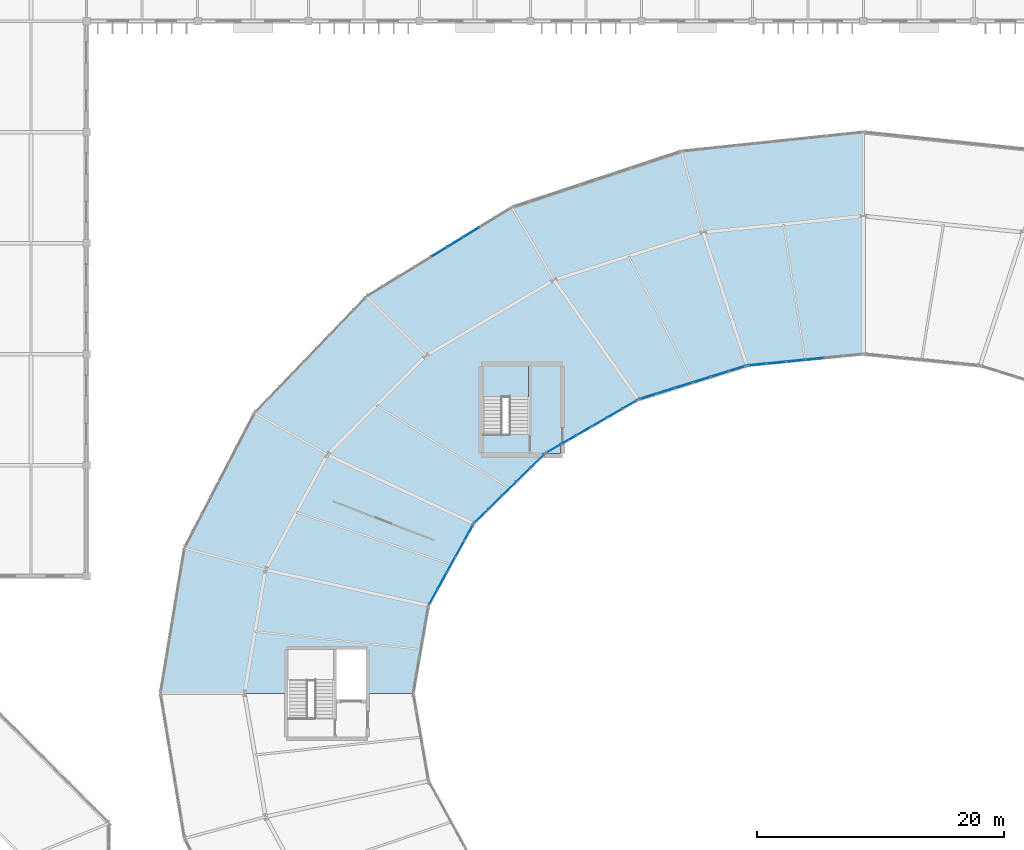
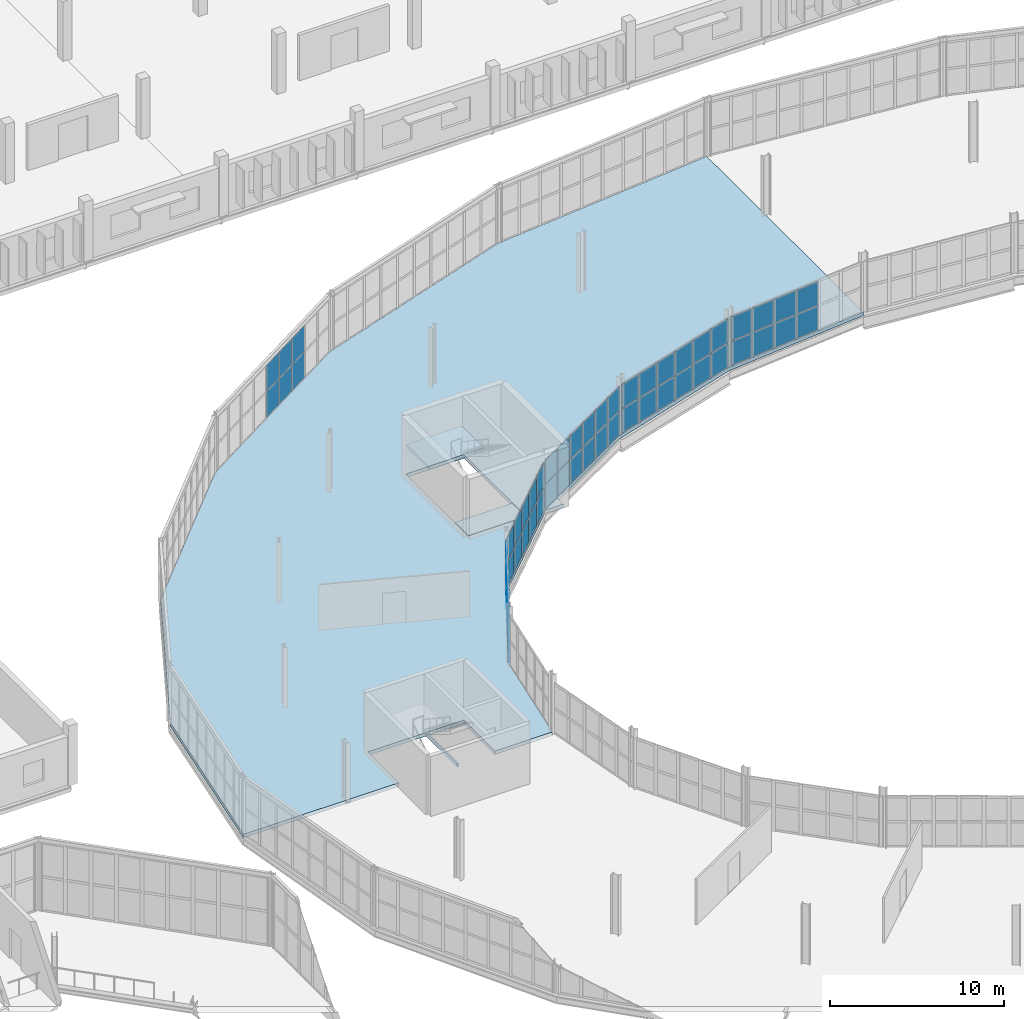
# One storey, part 117 of 161: 58 plates, 4 slabs, 7 elements without a shape of their own.
"""IFC4 building model written with IfcOpenShell, lengths in metres."""

from ifc_helpers import new_model, si_unit, direction, frame, origin, origin_2d, place, context, subcontext, project, spatial, polyline, rectangle, outline, extrude, material, layer, layer_set, type_object, element, aggregate, save


model = new_model("IFC4")

# Units and contexts
model_context = context("Model", 3, precision=1e-05, world=origin(), true_north=direction((0.0, 1.0)))
body_context = subcontext(model_context, "Body", "Model", "MODEL_VIEW")
ifc_project = project(units=[si_unit("LENGTHUNIT", "METRE"), si_unit("AREAUNIT", "SQUARE_METRE"), si_unit("VOLUMEUNIT", "CUBIC_METRE"), si_unit("PLANEANGLEUNIT", "RADIAN"), si_unit("MASSUNIT", "GRAM", prefix="KILO")], contexts=[model_context])

# Site, building, storey
site_placement = place(None, origin())
site = spatial("IfcSite", under=ifc_project, at=site_placement, CompositionType="ELEMENT")
building_placement = place(site_placement, origin())
building = spatial("IfcBuilding", under=site, at=building_placement, Name="Kildeholm Park Wholesale Market", CompositionType="ELEMENT")
storey_placement = place(building_placement, frame((0.0, 0.0, 5.39990234375)))
storey = spatial("IfcBuildingStorey", under=building, at=storey_placement, Name="L01", CompositionType="ELEMENT", Elevation=5.39990234375)

# Curtain wall, plates
ifc_material_1 = material(Name="Anodised aluminium and low-E double-glazed glass", Category="aluminium")
curtain_wall_type = type_object("IfcCurtainWallType", Name="Market hall glazed arcade stick curtain wall CW-01", PredefinedType="NOTDEFINED", material=ifc_material_1)
curtain_wall_1_placement = place(storey_placement, origin())
curtain_wall_1 = element("IfcCurtainWall", 1, at=curtain_wall_1_placement, inside=storey, type_object=curtain_wall_type, Name="Curtain wall CW-V1-IN1-06 CW-0033", PredefinedType="NOTDEFINED")
ifc_material_2 = material(Name="Double-glazed low-E insulated glass", Category="glass")
ifc_layer_1 = layer(ifc_material_2, 0.028076171875)
ifc_layer_set_1 = layer_set([ifc_layer_1], Name="Double-glazed low-E insulated glass")
plate_type = type_object("IfcPlateType", Name="Curtain-wall panel CWP-1 28 mm", PredefinedType="CURTAIN_PANEL", material=ifc_layer_set_1)
plate_1_placement = place(storey_placement, frame((95.056640625, 116.613037109375, 0.074951171875), z_axis=(0.0, 0.0, 1.0), x_axis=(-0.995118887444, -0.098683331174, 0.0)))
plate_1 = element("IfcPlate", 2, at=plate_1_placement, type_object=plate_type, Name="CW-01 panel 3.1 PLT-0612", PredefinedType="CURTAIN_PANEL", context=body_context, shape_type="SweptSolid", body=[
    extrude(rectangle(XDim=1.493896484375, YDim=0.028076171875, at=origin_2d()), origin(), (0.0, 0.0, 1.0), 1.66259765625),
])
plate_2_placement = place(storey_placement, frame((95.056640625, 116.613037109375, 1.8125), z_axis=(0.0, 0.0, 1.0), x_axis=(-0.995118887444, -0.098683331174, 0.0)))
plate_2 = element("IfcPlate", 3, at=plate_2_placement, type_object=plate_type, Name="CW-01 panel 3.2 PLT-0613", PredefinedType="CURTAIN_PANEL", context=body_context, shape_type="SweptSolid", body=[
    extrude(rectangle(XDim=1.493896484375, YDim=0.028076171875, at=origin_2d()), origin(), (0.0, 0.0, 1.0), 1.66259765625),
])
plate_3_placement = place(storey_placement, frame((93.495361328125, 116.4580078125, 0.074951171875), z_axis=(0.0, 0.0, 1.0), x_axis=(-0.995118887444, -0.098683331174, 0.0)))
plate_3 = element("IfcPlate", 4, at=plate_3_placement, type_object=plate_type, Name="CW-01 panel 4.1 PLT-0614", PredefinedType="CURTAIN_PANEL", context=body_context, shape_type="SweptSolid", body=[
    extrude(rectangle(XDim=1.493896484375, YDim=0.028076171875, at=origin_2d()), origin(), (0.0, 0.0, 1.0), 1.66259765625),
])
plate_4_placement = place(storey_placement, frame((93.495361328125, 116.4580078125, 1.8125), z_axis=(0.0, 0.0, 1.0), x_axis=(-0.995118887444, -0.098683331174, 0.0)))
plate_4 = element("IfcPlate", 5, at=plate_4_placement, type_object=plate_type, Name="CW-01 panel 4.2 PLT-0615", PredefinedType="CURTAIN_PANEL", context=body_context, shape_type="SweptSolid", body=[
    extrude(rectangle(XDim=1.493896484375, YDim=0.028076171875, at=origin_2d()), origin(), (0.0, 0.0, 1.0), 1.66259765625),
])
plate_5_placement = place(storey_placement, frame((91.93408203125, 116.30322265625, 0.074951171875), z_axis=(0.0, 0.0, 1.0), x_axis=(-0.995118887444, -0.098683331174, 0.0)))
plate_5 = element("IfcPlate", 6, at=plate_5_placement, type_object=plate_type, Name="CW-01 panel 5.1 PLT-0616", PredefinedType="CURTAIN_PANEL", context=body_context, shape_type="SweptSolid", body=[
    extrude(rectangle(XDim=1.493896484375, YDim=0.028076171875, at=origin_2d()), origin(), (0.0, 0.0, 1.0), 1.66259765625),
])
plate_6_placement = place(storey_placement, frame((91.93408203125, 116.30322265625, 1.8125), z_axis=(0.0, 0.0, 1.0), x_axis=(-0.995118887444, -0.098683331174, 0.0)))
plate_6 = element("IfcPlate", 7, at=plate_6_placement, type_object=plate_type, Name="CW-01 panel 5.2 PLT-0617", PredefinedType="CURTAIN_PANEL", context=body_context, shape_type="SweptSolid", body=[
    extrude(rectangle(XDim=1.493896484375, YDim=0.028076171875, at=origin_2d()), origin(), (0.0, 0.0, 1.0), 1.66259765625),
])
plate_7_placement = place(storey_placement, frame((90.391357421875, 116.150146484375, 0.074951171875), z_axis=(0.0, 0.0, 1.0), x_axis=(-0.995118887444, -0.098683331174, 0.0)))
plate_7 = element("IfcPlate", 8, at=plate_7_placement, type_object=plate_type, Name="CW-01 panel 6.1 PLT-0618", PredefinedType="CURTAIN_PANEL", context=body_context, shape_type="SweptSolid", body=[
    extrude(rectangle(XDim=1.45654296875, YDim=0.028076171875, at=origin_2d()), origin(), (0.0, 0.0, 1.0), 1.66259765625),
])
plate_8_placement = place(storey_placement, frame((90.391357421875, 116.150146484375, 1.8125), z_axis=(0.0, 0.0, 1.0), x_axis=(-0.995118887444, -0.098683331174, 0.0)))
plate_8 = element("IfcPlate", 9, at=plate_8_placement, type_object=plate_type, Name="CW-01 panel 6.2 PLT-0619", PredefinedType="CURTAIN_PANEL", context=body_context, shape_type="SweptSolid", body=[
    extrude(rectangle(XDim=1.45654296875, YDim=0.028076171875, at=origin_2d()), origin(), (0.0, 0.0, 1.0), 1.66259765625),
])
aggregate(curtain_wall_1, [plate_1, plate_2, plate_3, plate_4, plate_5, plate_6, plate_7, plate_8])

curtain_wall_2_placement = place(storey_placement, origin())
curtain_wall_2 = element("IfcCurtainWall", 10, at=curtain_wall_2_placement, inside=storey, type_object=curtain_wall_type, Name="Curtain wall CW-V1-IN1-07 CW-0037", PredefinedType="NOTDEFINED")
plate_9_placement = place(storey_placement, frame((88.767822265625, 115.822509765625, 0.074951171875), z_axis=(0.0, 0.0, 1.0), x_axis=(-0.954579186683, -0.297957339818, 0.0)))
plate_9 = element("IfcPlate", 11, at=plate_9_placement, type_object=plate_type, Name="CW-01 panel 1.1 PLT-0668", PredefinedType="CURTAIN_PANEL", context=body_context, shape_type="SweptSolid", body=[
    extrude(rectangle(XDim=1.4111328125, YDim=0.028076171875, at=origin_2d()), origin(), (0.0, 0.0, 1.0), 1.66259765625),
])
plate_10_placement = place(storey_placement, frame((88.767822265625, 115.822509765625, 1.8125), z_axis=(0.0, 0.0, 1.0), x_axis=(-0.954579186683, -0.297957339818, 0.0)))
plate_10 = element("IfcPlate", 12, at=plate_10_placement, type_object=plate_type, Name="CW-01 panel 1.2 PLT-0669", PredefinedType="CURTAIN_PANEL", context=body_context, shape_type="SweptSolid", body=[
    extrude(rectangle(XDim=1.4111328125, YDim=0.028076171875, at=origin_2d()), origin(), (0.0, 0.0, 1.0), 1.66259765625),
])
plate_11_placement = place(storey_placement, frame((87.331298828125, 115.3740234375, 0.074951171875), z_axis=(0.0, 0.0, 1.0), x_axis=(-0.954579186683, -0.297957339818, 0.0)))
plate_11 = element("IfcPlate", 13, at=plate_11_placement, type_object=plate_type, Name="CW-01 panel 2.1 PLT-0670", PredefinedType="CURTAIN_PANEL", context=body_context, shape_type="SweptSolid", body=[
    extrude(rectangle(XDim=1.44873046875, YDim=0.028076171875, at=origin_2d()), origin(), (0.0, 0.0, 1.0), 1.66259765625),
])
plate_12_placement = place(storey_placement, frame((87.331298828125, 115.3740234375, 1.8125), z_axis=(0.0, 0.0, 1.0), x_axis=(-0.954579186683, -0.297957339818, 0.0)))
plate_12 = element("IfcPlate", 14, at=plate_12_placement, type_object=plate_type, Name="CW-01 panel 2.2 PLT-0671", PredefinedType="CURTAIN_PANEL", context=body_context, shape_type="SweptSolid", body=[
    extrude(rectangle(XDim=1.44873046875, YDim=0.028076171875, at=origin_2d()), origin(), (0.0, 0.0, 1.0), 1.66259765625),
])
plate_13_placement = place(storey_placement, frame((85.876708984375, 114.919921875, 0.074951171875), z_axis=(0.0, 0.0, 1.0), x_axis=(-0.954579186683, -0.297957339818, 0.0)))
plate_13 = element("IfcPlate", 15, at=plate_13_placement, type_object=plate_type, Name="CW-01 panel 3.1 PLT-0672", PredefinedType="CURTAIN_PANEL", context=body_context, shape_type="SweptSolid", body=[
    extrude(rectangle(XDim=1.44873046875, YDim=0.028076171875, at=origin_2d()), origin(), (0.0, 0.0, 1.0), 1.66259765625),
])
plate_14_placement = place(storey_placement, frame((85.876708984375, 114.919921875, 1.8125), z_axis=(0.0, 0.0, 1.0), x_axis=(-0.954579186683, -0.297957339818, 0.0)))
plate_14 = element("IfcPlate", 16, at=plate_14_placement, type_object=plate_type, Name="CW-01 panel 3.2 PLT-0673", PredefinedType="CURTAIN_PANEL", context=body_context, shape_type="SweptSolid", body=[
    extrude(rectangle(XDim=1.44873046875, YDim=0.028076171875, at=origin_2d()), origin(), (0.0, 0.0, 1.0), 1.66259765625),
])
plate_15_placement = place(storey_placement, frame((84.42236328125, 114.466064453125, 0.074951171875), z_axis=(0.0, 0.0, 1.0), x_axis=(-0.954579186683, -0.297957339818, 0.0)))
plate_15 = element("IfcPlate", 17, at=plate_15_placement, type_object=plate_type, Name="CW-01 panel 4.1 PLT-0674", PredefinedType="CURTAIN_PANEL", context=body_context, shape_type="SweptSolid", body=[
    extrude(rectangle(XDim=1.44873046875, YDim=0.028076171875, at=origin_2d()), origin(), (0.0, 0.0, 1.0), 1.66259765625),
])
plate_16_placement = place(storey_placement, frame((84.42236328125, 114.466064453125, 1.8125), z_axis=(0.0, 0.0, 1.0), x_axis=(-0.954579186683, -0.297957339818, 0.0)))
plate_16 = element("IfcPlate", 18, at=plate_16_placement, type_object=plate_type, Name="CW-01 panel 4.2 PLT-0675", PredefinedType="CURTAIN_PANEL", context=body_context, shape_type="SweptSolid", body=[
    extrude(rectangle(XDim=1.44873046875, YDim=0.028076171875, at=origin_2d()), origin(), (0.0, 0.0, 1.0), 1.66259765625),
])
plate_17_placement = place(storey_placement, frame((82.9677734375, 114.011962890625, 0.074951171875), z_axis=(0.0, 0.0, 1.0), x_axis=(-0.954579186683, -0.297957339818, 0.0)))
plate_17 = element("IfcPlate", 19, at=plate_17_placement, type_object=plate_type, Name="CW-01 panel 5.1 PLT-0676", PredefinedType="CURTAIN_PANEL", context=body_context, shape_type="SweptSolid", body=[
    extrude(rectangle(XDim=1.44873046875, YDim=0.028076171875, at=origin_2d()), origin(), (0.0, 0.0, 1.0), 1.66259765625),
])
plate_18_placement = place(storey_placement, frame((82.9677734375, 114.011962890625, 1.8125), z_axis=(0.0, 0.0, 1.0), x_axis=(-0.954579186683, -0.297957339818, 0.0)))
plate_18 = element("IfcPlate", 20, at=plate_18_placement, type_object=plate_type, Name="CW-01 panel 5.2 PLT-0677", PredefinedType="CURTAIN_PANEL", context=body_context, shape_type="SweptSolid", body=[
    extrude(rectangle(XDim=1.44873046875, YDim=0.028076171875, at=origin_2d()), origin(), (0.0, 0.0, 1.0), 1.66259765625),
])
plate_19_placement = place(storey_placement, frame((81.53125, 113.5634765625, 0.074951171875), z_axis=(0.0, 0.0, 1.0), x_axis=(-0.954579186683, -0.297957339818, 0.0)))
plate_19 = element("IfcPlate", 21, at=plate_19_placement, type_object=plate_type, Name="CW-01 panel 6.1 PLT-0678", PredefinedType="CURTAIN_PANEL", context=body_context, shape_type="SweptSolid", body=[
    extrude(rectangle(XDim=1.4111328125, YDim=0.028076171875, at=origin_2d()), origin(), (0.0, 0.0, 1.0), 1.66259765625),
])
plate_20_placement = place(storey_placement, frame((81.53125, 113.5634765625, 1.8125), z_axis=(0.0, 0.0, 1.0), x_axis=(-0.954579186683, -0.297957339818, 0.0)))
plate_20 = element("IfcPlate", 22, at=plate_20_placement, type_object=plate_type, Name="CW-01 panel 6.2 PLT-0679", PredefinedType="CURTAIN_PANEL", context=body_context, shape_type="SweptSolid", body=[
    extrude(rectangle(XDim=1.4111328125, YDim=0.028076171875, at=origin_2d()), origin(), (0.0, 0.0, 1.0), 1.66259765625),
])
aggregate(curtain_wall_2, [plate_9, plate_10, plate_11, plate_12, plate_13, plate_14, plate_15, plate_16, plate_17, plate_18, plate_19, plate_20])

curtain_wall_3_placement = place(storey_placement, origin())
curtain_wall_3 = element("IfcCurtainWall", 23, at=curtain_wall_3_placement, inside=storey, type_object=curtain_wall_type, Name="Curtain wall CW-V1-OT-08-1 CW-0039", PredefinedType="NOTDEFINED")
plate_21_placement = place(storey_placement, frame((67.202392578125, 126.89013671875, 0.06494140625), z_axis=(0.0, 0.0, 1.0), x_axis=(-0.852771402766, -0.522284342695, 0.0)))
plate_21 = element("IfcPlate", 24, at=plate_21_placement, type_object=plate_type, Name="CW-01 panel 3.1 PLT-0696", PredefinedType="CURTAIN_PANEL", context=body_context, shape_type="SweptSolid", body=[
    extrude(rectangle(XDim=1.46435546875, YDim=0.028076171875, at=origin_2d()), origin(), (0.0, 0.0, 1.0), 1.802490234375),
])
plate_22_placement = place(storey_placement, frame((67.202392578125, 126.89013671875, 1.9326171875), z_axis=(0.0, 0.0, 1.0), x_axis=(-0.852771402766, -0.522284342695, 0.0)))
plate_22 = element("IfcPlate", 25, at=plate_22_placement, type_object=plate_type, Name="CW-01 panel 3.2 PLT-0697", PredefinedType="CURTAIN_PANEL", context=body_context, shape_type="SweptSolid", body=[
    extrude(rectangle(XDim=1.46435546875, YDim=0.028076171875, at=origin_2d()), origin(), (0.0, 0.0, 1.0), 1.802490234375),
])
plate_23_placement = place(storey_placement, frame((65.898193359375, 126.09130859375, 0.06494140625), z_axis=(0.0, 0.0, 1.0), x_axis=(-0.852771402766, -0.522284342695, 0.0)))
plate_23 = element("IfcPlate", 26, at=plate_23_placement, type_object=plate_type, Name="CW-01 panel 4.1 PLT-0698", PredefinedType="CURTAIN_PANEL", context=body_context, shape_type="SweptSolid", body=[
    extrude(rectangle(XDim=1.46435546875, YDim=0.028076171875, at=origin_2d()), origin(), (0.0, 0.0, 1.0), 1.802490234375),
])
plate_24_placement = place(storey_placement, frame((65.898193359375, 126.09130859375, 1.9326171875), z_axis=(0.0, 0.0, 1.0), x_axis=(-0.852771402766, -0.522284342695, 0.0)))
plate_24 = element("IfcPlate", 27, at=plate_24_placement, type_object=plate_type, Name="CW-01 panel 4.2 PLT-0699", PredefinedType="CURTAIN_PANEL", context=body_context, shape_type="SweptSolid", body=[
    extrude(rectangle(XDim=1.46435546875, YDim=0.028076171875, at=origin_2d()), origin(), (0.0, 0.0, 1.0), 1.802490234375),
])
plate_25_placement = place(storey_placement, frame((64.593994140625, 125.29248046875, 0.06494140625), z_axis=(0.0, 0.0, 1.0), x_axis=(-0.852771402766, -0.522284342695, 0.0)))
plate_25 = element("IfcPlate", 28, at=plate_25_placement, type_object=plate_type, Name="CW-01 panel 5.1 PLT-0700", PredefinedType="CURTAIN_PANEL", context=body_context, shape_type="SweptSolid", body=[
    extrude(rectangle(XDim=1.46435546875, YDim=0.028076171875, at=origin_2d()), origin(), (0.0, 0.0, 1.0), 1.802490234375),
])
plate_26_placement = place(storey_placement, frame((64.593994140625, 125.29248046875, 1.9326171875), z_axis=(0.0, 0.0, 1.0), x_axis=(-0.852771402766, -0.522284342695, 0.0)))
plate_26 = element("IfcPlate", 29, at=plate_26_placement, type_object=plate_type, Name="CW-01 panel 5.2 PLT-0701", PredefinedType="CURTAIN_PANEL", context=body_context, shape_type="SweptSolid", body=[
    extrude(rectangle(XDim=1.46435546875, YDim=0.028076171875, at=origin_2d()), origin(), (0.0, 0.0, 1.0), 1.802490234375),
])
aggregate(curtain_wall_3, [plate_21, plate_22, plate_23, plate_24, plate_25, plate_26])

curtain_wall_4_placement = place(storey_placement, origin())
curtain_wall_4 = element("IfcCurtainWall", 30, at=curtain_wall_4_placement, inside=storey, type_object=curtain_wall_type, Name="Curtain wall CW-V1-IN1-08 CW-0042", PredefinedType="NOTDEFINED")
plate_27_placement = place(storey_placement, frame((80.071533203125, 112.9287109375, 0.074951171875), z_axis=(0.0, 0.0, 1.0), x_axis=(-0.865742656621, -0.500489412982, 0.0)))
plate_27 = element("IfcPlate", 31, at=plate_27_placement, type_object=plate_type, Name="CW-01 panel 1.1 PLT-0738", PredefinedType="CURTAIN_PANEL", context=body_context, shape_type="SweptSolid", body=[
    extrude(rectangle(XDim=1.329345703125, YDim=0.028076171875, at=origin_2d()), origin(), (0.0, 0.0, 1.0), 1.66259765625),
])
plate_28_placement = place(storey_placement, frame((80.071533203125, 112.9287109375, 1.8125), z_axis=(0.0, 0.0, 1.0), x_axis=(-0.865742656621, -0.500489412982, 0.0)))
plate_28 = element("IfcPlate", 32, at=plate_28_placement, type_object=plate_type, Name="CW-01 panel 1.2 PLT-0739", PredefinedType="CURTAIN_PANEL", context=body_context, shape_type="SweptSolid", body=[
    extrude(rectangle(XDim=1.329345703125, YDim=0.028076171875, at=origin_2d()), origin(), (0.0, 0.0, 1.0), 1.66259765625),
])
plate_29_placement = place(storey_placement, frame((78.839599609375, 112.216552734375, 0.074951171875), z_axis=(0.0, 0.0, 1.0), x_axis=(-0.865742656621, -0.500489412982, 0.0)))
plate_29 = element("IfcPlate", 33, at=plate_29_placement, type_object=plate_type, Name="CW-01 panel 2.1 PLT-0740", PredefinedType="CURTAIN_PANEL", context=body_context, shape_type="SweptSolid", body=[
    extrude(rectangle(XDim=1.366943359375, YDim=0.028076171875, at=origin_2d()), origin(), (0.0, 0.0, 1.0), 1.66259765625),
])
plate_30_placement = place(storey_placement, frame((78.839599609375, 112.216552734375, 1.8125), z_axis=(0.0, 0.0, 1.0), x_axis=(-0.865742656621, -0.500489412982, 0.0)))
plate_30 = element("IfcPlate", 34, at=plate_30_placement, type_object=plate_type, Name="CW-01 panel 2.2 PLT-0741", PredefinedType="CURTAIN_PANEL", context=body_context, shape_type="SweptSolid", body=[
    extrude(rectangle(XDim=1.366943359375, YDim=0.028076171875, at=origin_2d()), origin(), (0.0, 0.0, 1.0), 1.66259765625),
])
plate_31_placement = place(storey_placement, frame((77.591064453125, 111.494873046875, 0.074951171875), z_axis=(0.0, 0.0, 1.0), x_axis=(-0.865742656621, -0.500489412982, 0.0)))
plate_31 = element("IfcPlate", 35, at=plate_31_placement, type_object=plate_type, Name="CW-01 panel 3.1 PLT-0742", PredefinedType="CURTAIN_PANEL", context=body_context, shape_type="SweptSolid", body=[
    extrude(rectangle(XDim=1.366943359375, YDim=0.028076171875, at=origin_2d()), origin(), (0.0, 0.0, 1.0), 1.66259765625),
])
plate_32_placement = place(storey_placement, frame((77.591064453125, 111.494873046875, 1.8125), z_axis=(0.0, 0.0, 1.0), x_axis=(-0.865742656621, -0.500489412982, 0.0)))
plate_32 = element("IfcPlate", 36, at=plate_32_placement, type_object=plate_type, Name="CW-01 panel 3.2 PLT-0743", PredefinedType="CURTAIN_PANEL", context=body_context, shape_type="SweptSolid", body=[
    extrude(rectangle(XDim=1.366943359375, YDim=0.028076171875, at=origin_2d()), origin(), (0.0, 0.0, 1.0), 1.66259765625),
])
plate_33_placement = place(storey_placement, frame((76.3427734375, 110.773193359375, 0.074951171875), z_axis=(0.0, 0.0, 1.0), x_axis=(-0.865742656621, -0.500489412982, 0.0)))
plate_33 = element("IfcPlate", 37, at=plate_33_placement, type_object=plate_type, Name="CW-01 panel 4.1 PLT-0744", PredefinedType="CURTAIN_PANEL", context=body_context, shape_type="SweptSolid", body=[
    extrude(rectangle(XDim=1.366943359375, YDim=0.028076171875, at=origin_2d()), origin(), (0.0, 0.0, 1.0), 1.66259765625),
])
plate_34_placement = place(storey_placement, frame((76.3427734375, 110.773193359375, 1.8125), z_axis=(0.0, 0.0, 1.0), x_axis=(-0.865742656621, -0.500489412982, 0.0)))
plate_34 = element("IfcPlate", 38, at=plate_34_placement, type_object=plate_type, Name="CW-01 panel 4.2 PLT-0745", PredefinedType="CURTAIN_PANEL", context=body_context, shape_type="SweptSolid", body=[
    extrude(rectangle(XDim=1.366943359375, YDim=0.028076171875, at=origin_2d()), origin(), (0.0, 0.0, 1.0), 1.66259765625),
])
plate_35_placement = place(storey_placement, frame((75.094482421875, 110.051513671875, 0.074951171875), z_axis=(0.0, 0.0, 1.0), x_axis=(-0.865742656621, -0.500489412982, 0.0)))
plate_35 = element("IfcPlate", 39, at=plate_35_placement, type_object=plate_type, Name="CW-01 panel 5.1 PLT-0746", PredefinedType="CURTAIN_PANEL", context=body_context, shape_type="SweptSolid", body=[
    extrude(rectangle(XDim=1.366943359375, YDim=0.028076171875, at=origin_2d()), origin(), (0.0, 0.0, 1.0), 1.66259765625),
])
plate_36_placement = place(storey_placement, frame((75.094482421875, 110.051513671875, 1.8125), z_axis=(0.0, 0.0, 1.0), x_axis=(-0.865742656621, -0.500489412982, 0.0)))
plate_36 = element("IfcPlate", 40, at=plate_36_placement, type_object=plate_type, Name="CW-01 panel 5.2 PLT-0747", PredefinedType="CURTAIN_PANEL", context=body_context, shape_type="SweptSolid", body=[
    extrude(rectangle(XDim=1.366943359375, YDim=0.028076171875, at=origin_2d()), origin(), (0.0, 0.0, 1.0), 1.66259765625),
])
plate_37_placement = place(storey_placement, frame((73.8623046875, 109.339111328125, 0.074951171875), z_axis=(0.0, 0.0, 1.0), x_axis=(-0.865742656621, -0.500489412982, 0.0)))
plate_37 = element("IfcPlate", 41, at=plate_37_placement, type_object=plate_type, Name="CW-01 panel 6.1 PLT-0748", PredefinedType="CURTAIN_PANEL", context=body_context, shape_type="SweptSolid", body=[
    extrude(rectangle(XDim=1.329345703125, YDim=0.028076171875, at=origin_2d()), origin(), (0.0, 0.0, 1.0), 1.66259765625),
])
plate_38_placement = place(storey_placement, frame((73.8623046875, 109.339111328125, 1.8125), z_axis=(0.0, 0.0, 1.0), x_axis=(-0.865742656621, -0.500489412982, 0.0)))
plate_38 = element("IfcPlate", 42, at=plate_38_placement, type_object=plate_type, Name="CW-01 panel 6.2 PLT-0749", PredefinedType="CURTAIN_PANEL", context=body_context, shape_type="SweptSolid", body=[
    extrude(rectangle(XDim=1.329345703125, YDim=0.028076171875, at=origin_2d()), origin(), (0.0, 0.0, 1.0), 1.66259765625),
])
aggregate(curtain_wall_4, [plate_27, plate_28, plate_29, plate_30, plate_31, plate_32, plate_33, plate_34, plate_35, plate_36, plate_37, plate_38])

curtain_wall_5_placement = place(storey_placement, origin())
curtain_wall_5 = element("IfcCurtainWall", 43, at=curtain_wall_5_placement, inside=storey, type_object=curtain_wall_type, Name="Curtain wall CW-V1-IN1-09 CW-0047", PredefinedType="NOTDEFINED")
plate_39_placement = place(storey_placement, frame((72.5693359375, 108.343017578125, 0.074951171875), z_axis=(0.0, 0.0, 1.0), x_axis=(-0.713537995789, -0.700616534607, 0.0)))
plate_39 = element("IfcPlate", 44, at=plate_39_placement, type_object=plate_type, Name="CW-01 panel 1.1 PLT-0804", PredefinedType="CURTAIN_PANEL", context=body_context, shape_type="SweptSolid", body=[
    extrude(rectangle(XDim=1.497314453125, YDim=0.028076171875, at=origin_2d()), origin(), (0.0, 0.0, 1.0), 1.66259765625),
])
plate_40_placement = place(storey_placement, frame((72.5693359375, 108.343017578125, 1.8125), z_axis=(0.0, 0.0, 1.0), x_axis=(-0.713537995789, -0.700616534607, 0.0)))
plate_40 = element("IfcPlate", 45, at=plate_40_placement, type_object=plate_type, Name="CW-01 panel 1.2 PLT-0805", PredefinedType="CURTAIN_PANEL", context=body_context, shape_type="SweptSolid", body=[
    extrude(rectangle(XDim=1.497314453125, YDim=0.028076171875, at=origin_2d()), origin(), (0.0, 0.0, 1.0), 1.66259765625),
])
plate_41_placement = place(storey_placement, frame((71.43408203125, 107.228271484375, 0.074951171875), z_axis=(0.0, 0.0, 1.0), x_axis=(-0.713537995789, -0.700616534607, 0.0)))
plate_41 = element("IfcPlate", 46, at=plate_41_placement, type_object=plate_type, Name="CW-01 panel 2.1 PLT-0806", PredefinedType="CURTAIN_PANEL", context=body_context, shape_type="SweptSolid", body=[
    extrude(rectangle(XDim=1.53466796875, YDim=0.028076171875, at=origin_2d()), origin(), (0.0, 0.0, 1.0), 1.66259765625),
])
plate_42_placement = place(storey_placement, frame((71.43408203125, 107.228271484375, 1.8125), z_axis=(0.0, 0.0, 1.0), x_axis=(-0.713537995789, -0.700616534607, 0.0)))
plate_42 = element("IfcPlate", 47, at=plate_42_placement, type_object=plate_type, Name="CW-01 panel 2.2 PLT-0807", PredefinedType="CURTAIN_PANEL", context=body_context, shape_type="SweptSolid", body=[
    extrude(rectangle(XDim=1.53466796875, YDim=0.028076171875, at=origin_2d()), origin(), (0.0, 0.0, 1.0), 1.66259765625),
])
plate_43_placement = place(storey_placement, frame((70.285400390625, 106.1005859375, 0.074951171875), z_axis=(0.0, 0.0, 1.0), x_axis=(-0.713537995789, -0.700616534607, 0.0)))
plate_43 = element("IfcPlate", 48, at=plate_43_placement, type_object=plate_type, Name="CW-01 panel 3.1 PLT-0808", PredefinedType="CURTAIN_PANEL", context=body_context, shape_type="SweptSolid", body=[
    extrude(rectangle(XDim=1.53466796875, YDim=0.028076171875, at=origin_2d()), origin(), (0.0, 0.0, 1.0), 1.66259765625),
])
plate_44_placement = place(storey_placement, frame((70.285400390625, 106.1005859375, 1.8125), z_axis=(0.0, 0.0, 1.0), x_axis=(-0.713537995789, -0.700616534607, 0.0)))
plate_44 = element("IfcPlate", 49, at=plate_44_placement, type_object=plate_type, Name="CW-01 panel 3.2 PLT-0809", PredefinedType="CURTAIN_PANEL", context=body_context, shape_type="SweptSolid", body=[
    extrude(rectangle(XDim=1.53466796875, YDim=0.028076171875, at=origin_2d()), origin(), (0.0, 0.0, 1.0), 1.66259765625),
])
plate_45_placement = place(storey_placement, frame((69.136962890625, 104.97265625, 0.074951171875), z_axis=(0.0, 0.0, 1.0), x_axis=(-0.713537995789, -0.700616534607, 0.0)))
plate_45 = element("IfcPlate", 50, at=plate_45_placement, type_object=plate_type, Name="CW-01 panel 4.1 PLT-0810", PredefinedType="CURTAIN_PANEL", context=body_context, shape_type="SweptSolid", body=[
    extrude(rectangle(XDim=1.53466796875, YDim=0.028076171875, at=origin_2d()), origin(), (0.0, 0.0, 1.0), 1.66259765625),
])
plate_46_placement = place(storey_placement, frame((69.136962890625, 104.97265625, 1.8125), z_axis=(0.0, 0.0, 1.0), x_axis=(-0.713537995789, -0.700616534607, 0.0)))
plate_46 = element("IfcPlate", 51, at=plate_46_placement, type_object=plate_type, Name="CW-01 panel 4.2 PLT-0811", PredefinedType="CURTAIN_PANEL", context=body_context, shape_type="SweptSolid", body=[
    extrude(rectangle(XDim=1.53466796875, YDim=0.028076171875, at=origin_2d()), origin(), (0.0, 0.0, 1.0), 1.66259765625),
])
plate_47_placement = place(storey_placement, frame((68.001708984375, 103.858154296875, 0.074951171875), z_axis=(0.0, 0.0, 1.0), x_axis=(-0.713537995789, -0.700616534607, 0.0)))
plate_47 = element("IfcPlate", 52, at=plate_47_placement, type_object=plate_type, Name="CW-01 panel 5.1 PLT-0812", PredefinedType="CURTAIN_PANEL", context=body_context, shape_type="SweptSolid", body=[
    extrude(rectangle(XDim=1.497314453125, YDim=0.028076171875, at=origin_2d()), origin(), (0.0, 0.0, 1.0), 1.66259765625),
])
plate_48_placement = place(storey_placement, frame((68.001708984375, 103.858154296875, 1.8125), z_axis=(0.0, 0.0, 1.0), x_axis=(-0.713537995789, -0.700616534607, 0.0)))
plate_48 = element("IfcPlate", 53, at=plate_48_placement, type_object=plate_type, Name="CW-01 panel 5.2 PLT-0813", PredefinedType="CURTAIN_PANEL", context=body_context, shape_type="SweptSolid", body=[
    extrude(rectangle(XDim=1.497314453125, YDim=0.028076171875, at=origin_2d()), origin(), (0.0, 0.0, 1.0), 1.66259765625),
])
aggregate(curtain_wall_5, [plate_39, plate_40, plate_41, plate_42, plate_43, plate_44, plate_45, plate_46, plate_47, plate_48])

curtain_wall_6_placement = place(storey_placement, origin())
curtain_wall_6 = element("IfcCurtainWall", 54, at=curtain_wall_6_placement, inside=storey, type_object=curtain_wall_type, Name="Curtain wall CW-V1-IN1-10 CW-0052", PredefinedType="NOTDEFINED")
plate_49_placement = place(storey_placement, frame((66.9951171875, 102.544189453125, 0.074951171875), z_axis=(0.0, 0.0, 1.0), x_axis=(-0.481749595055, -0.876308922506, 0.0)))
plate_49 = element("IfcPlate", 55, at=plate_49_placement, type_object=plate_type, Name="CW-01 panel 1.1 PLT-0864", PredefinedType="CURTAIN_PANEL", context=body_context, shape_type="SweptSolid", body=[
    extrude(rectangle(XDim=1.38525390625, YDim=0.028076171875, at=origin_2d()), origin(), (0.0, 0.0, 1.0), 1.66259765625),
])
plate_50_placement = place(storey_placement, frame((66.9951171875, 102.544189453125, 1.8125), z_axis=(0.0, 0.0, 1.0), x_axis=(-0.481749595055, -0.876308922506, 0.0)))
plate_50 = element("IfcPlate", 56, at=plate_50_placement, type_object=plate_type, Name="CW-01 panel 1.2 PLT-0865", PredefinedType="CURTAIN_PANEL", context=body_context, shape_type="SweptSolid", body=[
    extrude(rectangle(XDim=1.38525390625, YDim=0.028076171875, at=origin_2d()), origin(), (0.0, 0.0, 1.0), 1.66259765625),
])
plate_51_placement = place(storey_placement, frame((66.28271484375, 101.248046875, 0.074951171875), z_axis=(0.0, 0.0, 1.0), x_axis=(-0.481749595055, -0.876308922506, 0.0)))
plate_51 = element("IfcPlate", 57, at=plate_51_placement, type_object=plate_type, Name="CW-01 panel 2.1 PLT-0866", PredefinedType="CURTAIN_PANEL", context=body_context, shape_type="SweptSolid", body=[
    extrude(rectangle(XDim=1.4228515625, YDim=0.028076171875, at=origin_2d()), origin(), (0.0, 0.0, 1.0), 1.66259765625),
])
plate_52_placement = place(storey_placement, frame((66.28271484375, 101.248046875, 1.8125), z_axis=(0.0, 0.0, 1.0), x_axis=(-0.481749595055, -0.876308922506, 0.0)))
plate_52 = element("IfcPlate", 58, at=plate_52_placement, type_object=plate_type, Name="CW-01 panel 2.2 PLT-0867", PredefinedType="CURTAIN_PANEL", context=body_context, shape_type="SweptSolid", body=[
    extrude(rectangle(XDim=1.4228515625, YDim=0.028076171875, at=origin_2d()), origin(), (0.0, 0.0, 1.0), 1.66259765625),
])
plate_53_placement = place(storey_placement, frame((65.56103515625, 99.935546875, 0.074951171875), z_axis=(0.0, 0.0, 1.0), x_axis=(-0.481749595055, -0.876308922506, 0.0)))
plate_53 = element("IfcPlate", 59, at=plate_53_placement, type_object=plate_type, Name="CW-01 panel 3.1 PLT-0868", PredefinedType="CURTAIN_PANEL", context=body_context, shape_type="SweptSolid", body=[
    extrude(rectangle(XDim=1.4228515625, YDim=0.028076171875, at=origin_2d()), origin(), (0.0, 0.0, 1.0), 1.66259765625),
])
plate_54_placement = place(storey_placement, frame((65.56103515625, 99.935546875, 1.8125), z_axis=(0.0, 0.0, 1.0), x_axis=(-0.481749595055, -0.876308922506, 0.0)))
plate_54 = element("IfcPlate", 60, at=plate_54_placement, type_object=plate_type, Name="CW-01 panel 3.2 PLT-0869", PredefinedType="CURTAIN_PANEL", context=body_context, shape_type="SweptSolid", body=[
    extrude(rectangle(XDim=1.4228515625, YDim=0.028076171875, at=origin_2d()), origin(), (0.0, 0.0, 1.0), 1.66259765625),
])
plate_55_placement = place(storey_placement, frame((64.83935546875, 98.622802734375, 0.074951171875), z_axis=(0.0, 0.0, 1.0), x_axis=(-0.481749595055, -0.876308922506, 0.0)))
plate_55 = element("IfcPlate", 61, at=plate_55_placement, type_object=plate_type, Name="CW-01 panel 4.1 PLT-0870", PredefinedType="CURTAIN_PANEL", context=body_context, shape_type="SweptSolid", body=[
    extrude(rectangle(XDim=1.4228515625, YDim=0.028076171875, at=origin_2d()), origin(), (0.0, 0.0, 1.0), 1.66259765625),
])
plate_56_placement = place(storey_placement, frame((64.83935546875, 98.622802734375, 1.8125), z_axis=(0.0, 0.0, 1.0), x_axis=(-0.481749595055, -0.876308922506, 0.0)))
plate_56 = element("IfcPlate", 62, at=plate_56_placement, type_object=plate_type, Name="CW-01 panel 4.2 PLT-0871", PredefinedType="CURTAIN_PANEL", context=body_context, shape_type="SweptSolid", body=[
    extrude(rectangle(XDim=1.4228515625, YDim=0.028076171875, at=origin_2d()), origin(), (0.0, 0.0, 1.0), 1.66259765625),
])
plate_57_placement = place(storey_placement, frame((64.126953125, 97.32666015625, 0.074951171875), z_axis=(0.0, 0.0, 1.0), x_axis=(-0.481749595055, -0.876308922506, 0.0)))
plate_57 = element("IfcPlate", 63, at=plate_57_placement, type_object=plate_type, Name="CW-01 panel 5.1 PLT-0872", PredefinedType="CURTAIN_PANEL", context=body_context, shape_type="SweptSolid", body=[
    extrude(rectangle(XDim=1.38525390625, YDim=0.028076171875, at=origin_2d()), origin(), (0.0, 0.0, 1.0), 1.66259765625),
])
plate_58_placement = place(storey_placement, frame((64.126953125, 97.32666015625, 1.8125), z_axis=(0.0, 0.0, 1.0), x_axis=(-0.481749595055, -0.876308922506, 0.0)))
plate_58 = element("IfcPlate", 64, at=plate_58_placement, type_object=plate_type, Name="CW-01 panel 5.2 PLT-0873", PredefinedType="CURTAIN_PANEL", context=body_context, shape_type="SweptSolid", body=[
    extrude(rectangle(XDim=1.38525390625, YDim=0.028076171875, at=origin_2d()), origin(), (0.0, 0.0, 1.0), 1.66259765625),
])
aggregate(curtain_wall_6, [plate_49, plate_50, plate_51, plate_52, plate_53, plate_54, plate_55, plate_56, plate_57, plate_58])

# Slabs
ifc_material_3 = material(Name="Concrete C35/45", Category="concrete")
ifc_layer_2 = layer(ifc_material_3, 0.25)
ifc_layer_set_2 = layer_set([ifc_layer_2], Name="Concrete C35/45")
slab_type_1 = type_object("IfcSlabType", Name="Slab S-FL1 250 mm", PredefinedType="FLOOR", material=ifc_layer_set_2)
slab_1_placement = place(storey_placement, frame((0.0, 0.0, -0.25)))
element("IfcSlab", 65, at=slab_1_placement, inside=storey, type_object=slab_type_1, Name="Produce hall L01 gallery slab quadrant 2 SLB-0005", PredefinedType="FLOOR", context=body_context, shape_type="SweptSolid", body=[
    extrude(outline(polyline([(42.0, 89.5), (43.94189453125, 101.27587890625), (49.636962890625, 112.25), (58.695068359375, 121.673095703125), (70.5, 128.904052734375), (84.2470703125, 133.449951171875), (99.0, 135.0), (99.0, 117.0), (89.552978515625, 116.06298828125), (80.75, 113.31591796875), (73.19091796875, 108.945068359375), (67.389892578125, 103.25), (63.743896484375, 96.617919921875), (62.5, 89.5), (58.679931640625, 89.5), (58.679931640625, 93.080078125), (56.280029296875, 93.080078125), (56.280029296875, 89.5), (56.179931640625, 89.5), (56.179931640625, 93.080078125), (52.320068359375, 93.080078125), (52.320068359375, 89.5), (42.0, 89.5)]), holes=[polyline([(71.97998046875, 108.919921875), (71.97998046875, 116.080078125), (68.1201171875, 116.080078125), (68.1201171875, 108.919921875), (71.97998046875, 108.919921875)])]), origin(), (0.0, 0.0, 1.0), 0.25),
])
ifc_layer_3 = layer(ifc_material_3, 0.239990234375)
ifc_layer_set_3 = layer_set([ifc_layer_3], Name="Concrete C35/45")
slab_type_2 = type_object("IfcSlabType", Name="Stair landing slab S-LD1 240 mm", PredefinedType="LANDING", material=ifc_layer_set_3)
slab_2_placement = place(storey_placement, frame((0.0, 0.0, -0.239990234375)))
element("IfcSlab", 66, at=slab_2_placement, inside=storey, type_object=slab_type_2, Name="Core C11 lobby floor slab L01-2 SLB-0464", PredefinedType="LANDING", context=body_context, shape_type="SweptSolid", body=[
    extrude(outline(polyline([(74.449951171875, 108.949951171875), (73.2099609375, 108.949951171875), (74.449951171875, 109.6669921875), (74.449951171875, 108.949951171875)])), origin(), (0.0, 0.0, 1.0), 0.239990234375),
])
slab_3_placement = place(storey_placement, frame((0.0, 0.0, -0.239990234375)))
element("IfcSlab", 67, at=slab_3_placement, inside=storey, type_object=slab_type_2, Name="Core C11 stair landing slab L01 SLB-0465", PredefinedType="LANDING", context=body_context, shape_type="SweptSolid", body=[
    extrude(outline(polyline([(68.14990234375, 108.949951171875), (71.949951171875, 108.949951171875), (71.949951171875, 110.5), (68.14990234375, 110.5), (68.14990234375, 108.949951171875)])), origin(), (0.0, 0.0, 1.0), 0.239990234375),
])

# Stair, slab
stair_type = type_object("IfcStairType", Name="Protected upper core escape stair ST-CR2", PredefinedType="HALF_TURN_STAIR", material=ifc_material_3)
stair_placement = place(storey_placement, origin())
stair = element("IfcStair", 68, at=stair_placement, inside=storey, type_object=stair_type, Name="Escape stair C11 L01 STR-0027", PredefinedType="HALF_TURN_STAIR")
slab_4_placement = place(storey_placement, frame((0.0, 0.0, 1.860107421875)))
slab_4 = element("IfcSlab", 69, at=slab_4_placement, type_object=slab_type_2, Name="ST-11-01 landing 1 SLB-0466", PredefinedType="LANDING", context=body_context, shape_type="SweptSolid", body=[
    extrude(outline(polyline([(68.14990234375, 113.514892578125), (71.830078125, 113.534912109375), (71.830078125, 116.050048828125), (68.14990234375, 116.050048828125), (68.14990234375, 113.514892578125)])), origin(), (0.0, 0.0, 1.0), 0.239990234375),
])
aggregate(stair, [slab_4])

save(model, "model.ifc")
